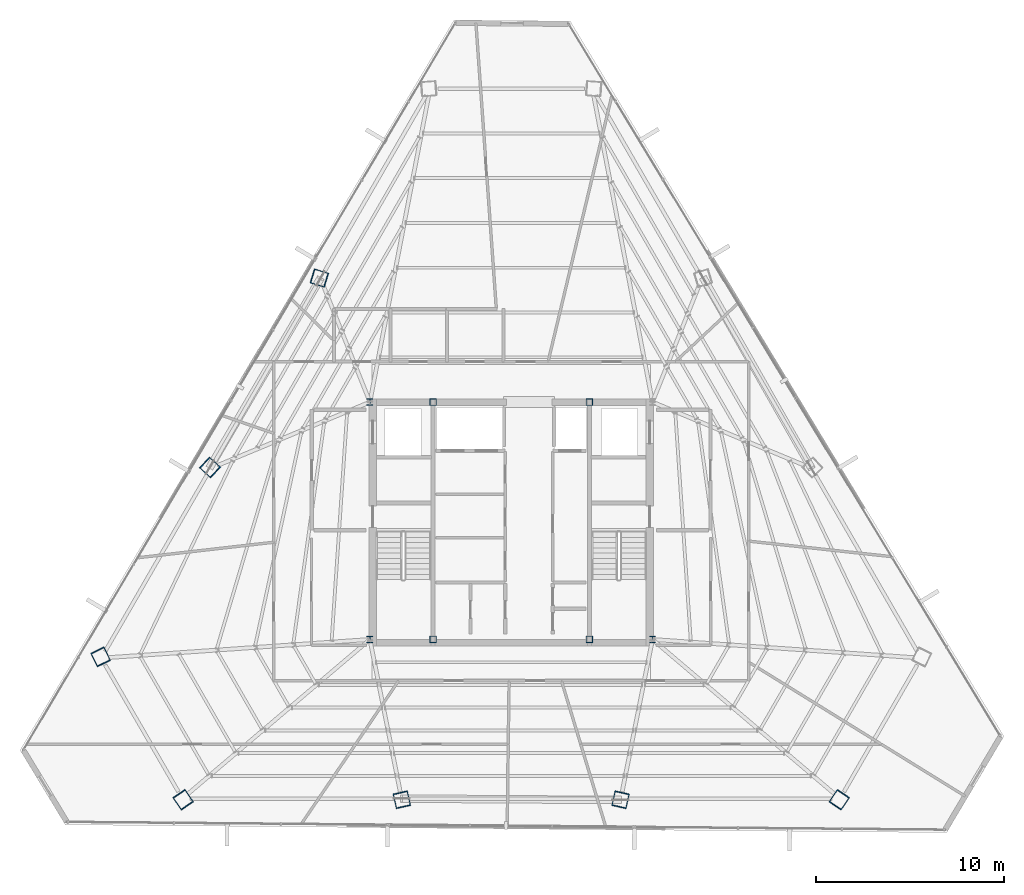
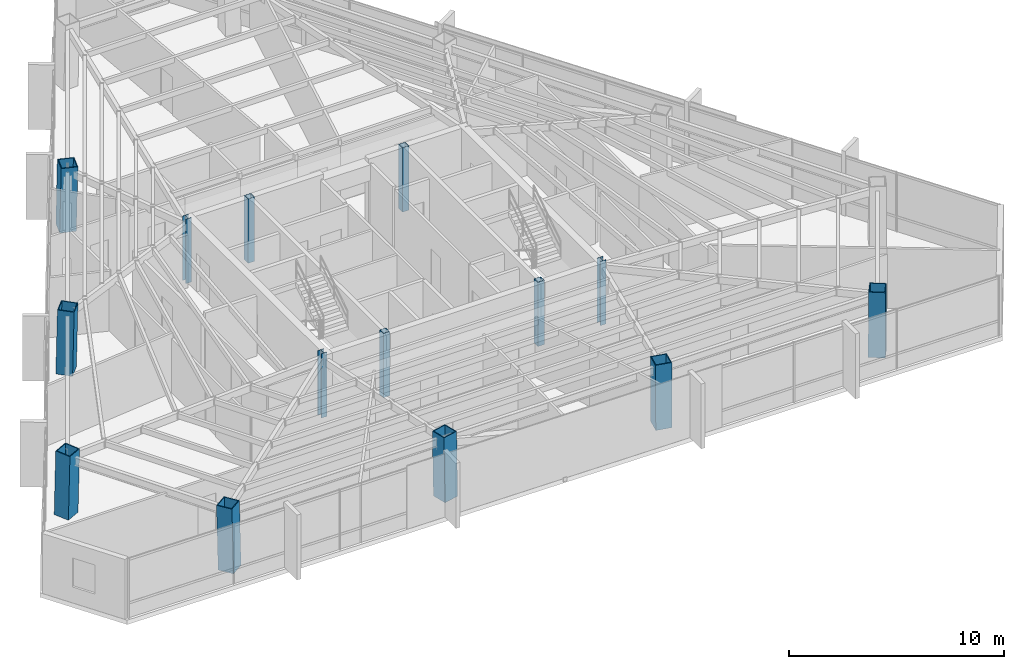
# One storey, part 1 of 49: 14 columns.
"""IFC4 building model written with IfcOpenShell, lengths in metres."""

import ifcopenshell
import ifcopenshell.guid

model = None  # the IFC model being written
_history = None  # IfcOwnerHistory: only IFC2X3 demands one
_inside = {}  # id of a spatial element -> (the spatial element, [elements in it])
_under = {}  # id of a project, library or spatial element -> (it, [spatial elements below it])
_declared = {}  # id of a project -> (the project, [libraries it declares])
_typed = {}  # id of a type object -> (the type object, [elements of that type])
_made_of = {}  # id of a material, layer set ... -> (it, [elements and type objects made of it])


def new_model(schema):
    """Start an empty IFC model of exactly this schema.

    Asked for "IFC4X3", IfcOpenShell would pick the latest addendum, in which some entities
    have other attributes; the version numbers below select the first issue.
    IFC2X3 requires an IfcOwnerHistory on every rooted entity: one is made here for all.
    """
    global model, _history
    if schema == "IFC4X3":
        model = ifcopenshell.file(schema_version=(4, 3, 0, 0))
    else:
        model = ifcopenshell.file(schema=schema)
    _inside.clear()
    _under.clear()
    _declared.clear()
    _typed.clear()
    _made_of.clear()
    _history = None
    if model.schema == "IFC2X3":
        org = make("IfcOrganization", Name="unknown")
        user = make(
            "IfcPersonAndOrganization",
            ThePerson=make("IfcPerson", FamilyName="unknown"),
            TheOrganization=org,
        )
        app = make(
            "IfcApplication",
            ApplicationDeveloper=org,
            Version="unknown",
            ApplicationFullName="unknown",
            ApplicationIdentifier="unknown",
        )
        _history = make(
            "IfcOwnerHistory",
            OwningUser=user,
            OwningApplication=app,
            ChangeAction="ADDED",
            CreationDate=0,
        )
    return model


def make(cls, **values):
    """One entity of the class cls with the attributes given. An attribute that is None is left unset."""
    return model.create_entity(
        cls, **{name: value for name, value in values.items() if value is not None}
    )


def rooted(cls, **values):
    """An entity with a GlobalId (a new one), such as an element, a storey or a relation."""
    return make(cls, GlobalId=ifcopenshell.guid.new(), OwnerHistory=_history, **values)


def si_unit(unit_type, name, prefix=None):
    """IfcSIUnit, for example si_unit("LENGTHUNIT", "METRE", prefix="MILLI")."""
    return make("IfcSIUnit", UnitType=unit_type, Prefix=prefix, Name=name)


def assignment(units):
    """IfcUnitAssignment: the units of a project."""
    return None if units is None else make("IfcUnitAssignment", Units=units)


def point(xyz):
    """IfcCartesianPoint."""
    return None if xyz is None else make("IfcCartesianPoint", Coordinates=xyz)


def direction(xyz):
    """IfcDirection."""
    return None if xyz is None else make("IfcDirection", DirectionRatios=xyz)


def frame(location, z_axis=None, x_axis=None):
    """IfcAxis2Placement3D, a coordinate frame: its origin and axes. An axis left out is left unset."""
    return make(
        "IfcAxis2Placement3D",
        Location=point(location),
        Axis=direction(z_axis),
        RefDirection=direction(x_axis),
    )


def frame_2d(location, x_axis=None):
    """IfcAxis2Placement2D, a coordinate frame in the plane: its origin and x axis."""
    return make(
        "IfcAxis2Placement2D", Location=point(location), RefDirection=direction(x_axis)
    )


def origin():
    """The frame at (0, 0, 0) with its axes left unset."""
    return frame((0.0, 0.0, 0.0))


def origin_2d():
    """The frame at (0, 0) in the plane with its x axis left unset."""
    return frame_2d((0.0, 0.0))


def place(relative_to, where):
    """IfcLocalPlacement: puts the frame where relative to a parent placement (None: the world)."""
    return make(
        "IfcLocalPlacement", PlacementRelTo=relative_to, RelativePlacement=where
    )


def context(
    kind, dimensions, precision=None, world=None, true_north=None, identifier=None
):
    """IfcGeometricRepresentationContext, for example the 3D "Model" context."""
    return make(
        "IfcGeometricRepresentationContext",
        ContextIdentifier=identifier,
        ContextType=kind,
        CoordinateSpaceDimension=dimensions,
        Precision=precision,
        WorldCoordinateSystem=world,
        TrueNorth=true_north,
    )


def subcontext(parent, identifier, kind, view, scale=None):
    """IfcGeometricRepresentationSubContext, for example "Body" below "Model"."""
    return make(
        "IfcGeometricRepresentationSubContext",
        ContextIdentifier=identifier,
        ContextType=kind,
        ParentContext=parent,
        TargetScale=scale,
        TargetView=view,
    )


def project(units=None, contexts=None):
    """IfcProject with its units and contexts."""
    return rooted(
        "IfcProject",
        Name="project",
        RepresentationContexts=contexts,
        UnitsInContext=assignment(units),
    )


def spatial(cls, under=None, at=None, **own):
    """A site, building, storey or space (cls), placed at a placement, below another one or the project."""
    s = rooted(cls, ObjectPlacement=at, **own)
    if under is not None:
        _under.setdefault(under.id(), (under, []))[1].append(s)
    return s


def profile(cls, at=None, kind="AREA", **sizes):
    """A parametric profile (cls). Its sizes go by their IFC names, for example OverallWidth=200.0."""
    return make(cls, ProfileType=kind, Position=at, **sizes)


def hollow_rectangle(**sizes):
    """IfcRectangleHollowProfileDef."""
    return profile("IfcRectangleHollowProfileDef", **sizes)


def i_section(**sizes):
    """IfcIShapeProfileDef."""
    return profile("IfcIShapeProfileDef", **sizes)


def extrude(swept, where, along, depth):
    """IfcExtrudedAreaSolid: the profile swept, set in the frame where, extruded along a direction by depth."""
    return make(
        "IfcExtrudedAreaSolid",
        SweptArea=swept,
        Position=where,
        ExtrudedDirection=direction(along),
        Depth=depth,
    )


def shape(context_of_items, identifier, shape_type, items):
    """IfcShapeRepresentation: the items that make up one representation, for example the "Body"."""
    return make(
        "IfcShapeRepresentation",
        ContextOfItems=context_of_items,
        RepresentationIdentifier=identifier,
        RepresentationType=shape_type,
        Items=items,
    )


def source(mapping_origin, context_of_items, identifier, shape_type, items):
    """IfcRepresentationMap: a shape defined once, which mapped items show again and again."""
    return make(
        "IfcRepresentationMap",
        MappingOrigin=mapping_origin,
        MappedRepresentation=shape(context_of_items, identifier, shape_type, items),
    )


def transform(
    local_origin,
    x_axis=None,
    y_axis=None,
    z_axis=None,
    scale=None,
    scale2=None,
    scale3=None,
    uniform=True,
):
    """IfcCartesianTransformationOperator3D, or its non-uniform kind. x_axis, y_axis, z_axis: its Axis1, 2, 3."""
    if uniform:
        return make(
            "IfcCartesianTransformationOperator3D",
            Axis1=direction(x_axis),
            Axis2=direction(y_axis),
            LocalOrigin=point(local_origin),
            Scale=scale,
            Axis3=direction(z_axis),
        )
    return make(
        "IfcCartesianTransformationOperator3DnonUniform",
        Axis1=direction(x_axis),
        Axis2=direction(y_axis),
        LocalOrigin=point(local_origin),
        Scale=scale,
        Axis3=direction(z_axis),
        Scale2=scale2,
        Scale3=scale3,
    )


def mapped(mapping_source, mapping_target):
    """IfcMappedItem: shows the shape of a source again, moved by a transform."""
    return make(
        "IfcMappedItem", MappingSource=mapping_source, MappingTarget=mapping_target
    )


def material(Name=None, Category=None):
    """IfcMaterial."""
    return make("IfcMaterial", Name=Name, Category=Category)


def material_profile(
    of_material, cross_section, Name=None, Category=None, Priority=None
):
    """IfcMaterialProfile: a cross section and its material."""
    return make(
        "IfcMaterialProfile",
        Name=Name,
        Material=of_material,
        Profile=cross_section,
        Priority=Priority,
        Category=Category,
    )


def profile_set(profiles, Name=None, composite=None):
    """IfcMaterialProfileSet."""
    return make(
        "IfcMaterialProfileSet",
        Name=Name,
        MaterialProfiles=profiles,
        CompositeProfile=composite,
    )


def made_of(thing, what):
    """Note that an element or type object is made of a material, layer set ...; save() writes the relation."""
    if what is not None:
        _made_of.setdefault(what.id(), (what, []))[1].append(thing)
    return thing


def type_object(cls, material=None, **own):
    """A type object (cls), such as IfcWallType, which elements share."""
    return made_of(rooted(cls, **own), material)


def type_shapes(of_type, sources):
    """Give a type object the sources (RepresentationMaps) that its elements show as mapped items."""
    of_type.RepresentationMaps = sources


def element(
    cls,
    number,
    at=None,
    inside=None,
    cuts=None,
    type_object=None,
    material=None,
    context=None,
    identifier="Body",
    shape_type=None,
    held_by="IfcProductDefinitionShape",
    body=None,
    shapes=None,
    **own,
):
    """One element of the class cls, such as IfcWall. Its Tag is "e" and its number.

    at: its placement. inside: the storey or other place that contains it. cuts: it is an
    opening in that element (IfcRelVoidsElement). A single representation is given by context,
    identifier, shape_type and body (its items); several are given by shapes. held_by: the class
    of the entity that holds the representations. save() writes the other relations.
    """
    e = rooted(cls, Tag="e%d" % number, ObjectPlacement=at, **own)
    if body is not None:
        shapes = [shape(context, identifier, shape_type, body)]
    if shapes is not None:
        e.Representation = make(held_by, Representations=shapes)
    if inside is not None:
        _inside.setdefault(inside.id(), (inside, []))[1].append(e)
    if cuts is not None:
        rooted(
            "IfcRelVoidsElement", RelatingBuildingElement=cuts, RelatedOpeningElement=e
        )
    if type_object is not None:
        _typed.setdefault(type_object.id(), (type_object, []))[1].append(e)
    return made_of(e, material)


def aggregate(whole, parts):
    """IfcRelAggregates: a whole, such as a stair, and the parts it consists of."""
    return rooted("IfcRelAggregates", RelatingObject=whole, RelatedObjects=parts)


def save(model, path):
    """Write the relations noted so far, then the file.

    IfcRelAggregates (storeys below a building ...), IfcRelContainedInSpatialStructure (elements
    in a storey), IfcRelDefinesByType, IfcRelAssociatesMaterial and IfcRelDeclares: one each for
    every whole, place, type object, material and project.
    """
    for whole, parts in _under.values():
        aggregate(whole, parts)
    for where, things in _inside.values():
        rooted(
            "IfcRelContainedInSpatialStructure",
            RelatedElements=things,
            RelatingStructure=where,
        )
    for kind, things in _typed.values():
        rooted("IfcRelDefinesByType", RelatedObjects=things, RelatingType=kind)
    for what, things in _made_of.values():
        rooted("IfcRelAssociatesMaterial", RelatedObjects=things, RelatingMaterial=what)
    for by, libraries in _declared.values():
        rooted("IfcRelDeclares", RelatingContext=by, RelatedDefinitions=libraries)
    model.write(path)


model = new_model("IFC4")

# Units and contexts
model_context = context("Model", 3, precision=1e-05, world=origin(), true_north=direction((0.0, 1.0)))
body_context = subcontext(model_context, "Body", "Model", "MODEL_VIEW")
ifc_project = project(units=[si_unit("LENGTHUNIT", "METRE"), si_unit("AREAUNIT", "SQUARE_METRE"), si_unit("VOLUMEUNIT", "CUBIC_METRE"), si_unit("PLANEANGLEUNIT", "RADIAN"), si_unit("MASSUNIT", "GRAM", prefix="KILO")], contexts=[model_context])

# Site, building, storey
site_placement = place(None, origin())
site = spatial("IfcSite", under=ifc_project, at=site_placement, CompositionType="ELEMENT")
building_placement = place(site_placement, origin())
building = spatial("IfcBuilding", under=site, at=building_placement, Name="Caelisora Broadcast Tower", CompositionType="ELEMENT")
storey_placement = place(building_placement, frame((0.0, 0.0, 233.5)))
storey = spatial("IfcBuildingStorey", under=building, at=storey_placement, Name="L61", CompositionType="ELEMENT", Elevation=233.5)

# Columns
ifc_material_1 = material(Name="Steel Grade 350 (AS/NZS 1163 C350L0)", Category="steel")
ifc_material_profile_1 = material_profile(ifc_material_1, hollow_rectangle(XDim=0.35009765625, YDim=0.35009765625, WallThickness=0.01611328125, at=origin_2d()), Name="Steel Grade 350 (AS/NZS 1163 C350L0)")
ifc_profile_set_1 = profile_set([ifc_material_profile_1], Name="Steel Grade 350 (AS/NZS 1163 C350L0)")
column_type_1 = type_object("IfcColumnType", Name="CC07", PredefinedType="COLUMN", material=ifc_profile_set_1)
shared_shape_1 = source(origin(), body_context, "Body", "SweptSolid", [
    extrude(hollow_rectangle(XDim=0.35009765625, YDim=0.35009765625, WallThickness=0.01611328125, at=origin_2d()), origin(), (0.0, 0.0, 1.0), 3.64990234375),
])
type_shapes(column_type_1, [shared_shape_1])
for number, where, z_axis, x_axis, name in (
    (1, (33.85009765625, 17.39990234375, 0.0), (0.0, 0.0, 1.0), (1.0, 0.0, 0.0), "L61 column CC07"),
    (2, (42.14990234375, 17.39990234375, 0.0), (0.0, 0.0, 1.0), (1.0, 0.0, 0.0), "L61 column CC07"),
    (3, (33.85009765625, 30.0, 0.0), (0.0, 0.0, 1.0), (1.0, 0.0, 0.0), "L61 column CC07"),
    (4, (42.14990234375, 30.0, 0.0), (0.0, 0.0, 1.0), (1.0, 0.0, 0.0), "L61 column CC07"),
):
    element("IfcColumn", number, at=place(storey_placement, frame(where, z_axis=z_axis, x_axis=x_axis)), inside=storey, type_object=column_type_1, Name=name, PredefinedType="COLUMN", context=body_context, shape_type="MappedRepresentation", body=[
        mapped(shared_shape_1, transform((0.0, 0.0, 0.0), scale=1.0)),
    ])
ifc_material_2 = material(Name="Steel Grade 350 L15 (AS/NZS 3678)", Category="steel")
ifc_material_profile_2 = material_profile(ifc_material_2, hollow_rectangle(XDim=0.800048828125, YDim=0.800048828125, WallThickness=0.044921875, at=origin_2d()), Name="Steel Grade 350 L15 (AS/NZS 3678)")
ifc_profile_set_2 = profile_set([ifc_material_profile_2], Name="Steel Grade 350 L15 (AS/NZS 3678)")
column_type_2 = type_object("IfcColumnType", Name="MC05", PredefinedType="COLUMN", material=ifc_profile_set_2)
shared_shape_2 = source(origin(), body_context, "Body", "SweptSolid", [
    extrude(hollow_rectangle(XDim=0.800048828125, YDim=0.800048828125, WallThickness=0.044921875, at=origin_2d()), origin(), (0.0, 0.0, 1.0), 3.65087890625),
])
for number, where, z_axis, x_axis, name in (
    (5, (16.201416015625, 16.4873046875, 0.0), (0.010431795422, -0.021532295679, 0.999713727968), (0.899947055326, 0.435999194506, 0.0), "L61 column MC05"),
    (6, (20.594482421875, 8.87841796875, 0.0), (-0.013440967269, 0.019793663242, 0.999713734673), (-0.827290216258, -0.561774775229, 0.0), "L61 column MC05"),
    (7, (55.405517578125, 8.87841796875, 0.0), (0.013440967269, 0.019793663242, 0.999713734673), (-0.827290216258, 0.561774775229, 0.0), "L61 column MC05"),
):
    element("IfcColumn", number, at=place(storey_placement, frame(where, z_axis=z_axis, x_axis=x_axis)), inside=storey, type_object=column_type_2, Name=name, PredefinedType="COLUMN", context=body_context, shape_type="MappedRepresentation", body=[
        mapped(shared_shape_2, transform((0.0, 0.0, 0.0), scale=1.0)),
    ])
shared_shape_3 = source(origin(), body_context, "Body", "SweptSolid", [
    extrude(hollow_rectangle(XDim=0.800048828125, YDim=0.800048828125, WallThickness=0.044921875, at=origin_2d()), origin(), (0.0, 0.0, 1.0), 3.650634765625),
])
type_shapes(column_type_2, [shared_shape_2, shared_shape_3])
for number, where, z_axis, x_axis, name in (
    (8, (27.80517578125, 36.585205078125, 0.0), (0.019394001249, -0.005951952107, 0.999794202314), (0.293390827749, 0.9559925848, 0.0), "L61 column MC05"),
    (9, (22.00341796875, 26.536376953125, 0.0), (0.014913313399, -0.013776424037, 0.999793880369), (0.678553674548, 0.734550822447, 0.0), "L61 column MC05"),
    (10, (32.1982421875, 8.87841796875, 0.0), (-0.004480682206, 0.019795252729, 0.999794014513), (-0.975326687046, -0.220766513622, 0.0), "L61 column MC05"),
    (11, (43.8017578125, 8.87841796875, 0.0), (0.004480682206, 0.019795252729, 0.999794014513), (-0.975326687046, 0.220766513622, 0.0), "L61 column MC05"),
):
    element("IfcColumn", number, at=place(storey_placement, frame(where, z_axis=z_axis, x_axis=x_axis)), inside=storey, type_object=column_type_2, Name=name, PredefinedType="COLUMN", context=body_context, shape_type="MappedRepresentation", body=[
        mapped(shared_shape_3, transform((0.0, 0.0, 0.0), scale=1.0)),
    ])
ifc_material_3 = material(Name="Steel Grade 350 (AS/NZS 3679.1)", Category="steel")
ifc_material_profile_3 = material_profile(ifc_material_3, i_section(OverallWidth=0.31103515625, OverallDepth=0.3271484375, WebThickness=0.015625, FlangeThickness=0.02490234375, at=origin_2d()), Name="Steel Grade 350 (AS/NZS 3679.1)")
ifc_profile_set_3 = profile_set([ifc_material_profile_3], Name="Steel Grade 350 (AS/NZS 3679.1)")
column_type_3 = type_object("IfcColumnType", Name="CC03", PredefinedType="COLUMN", material=ifc_profile_set_3)
shared_shape_4 = source(origin(), body_context, "Body", "SweptSolid", [
    extrude(i_section(OverallWidth=0.31103515625, OverallDepth=0.3271484375, WebThickness=0.015625, FlangeThickness=0.02490234375, at=origin_2d()), origin(), (0.0, 0.0, 1.0), 3.64990234375),
])
type_shapes(column_type_3, [shared_shape_4])
for number, where, z_axis, x_axis, name in (
    (12, (30.5, 17.39990234375, 0.0), (0.0, 0.0, 1.0), (1.0, 0.0, 0.0), "L61 column CC03"),
    (13, (45.5, 17.39990234375, 0.0), (0.0, 0.0, 1.0), (1.0, 0.0, 0.0), "L61 column CC03"),
    (14, (30.5, 30.0, 0.0), (0.0, 0.0, 1.0), (1.0, 0.0, 0.0), "L61 column CC03"),
):
    element("IfcColumn", number, at=place(storey_placement, frame(where, z_axis=z_axis, x_axis=x_axis)), inside=storey, type_object=column_type_3, Name=name, PredefinedType="COLUMN", context=body_context, shape_type="MappedRepresentation", body=[
        mapped(shared_shape_4, transform((0.0, 0.0, 0.0), scale=1.0)),
    ])

save(model, "model.ifc")
